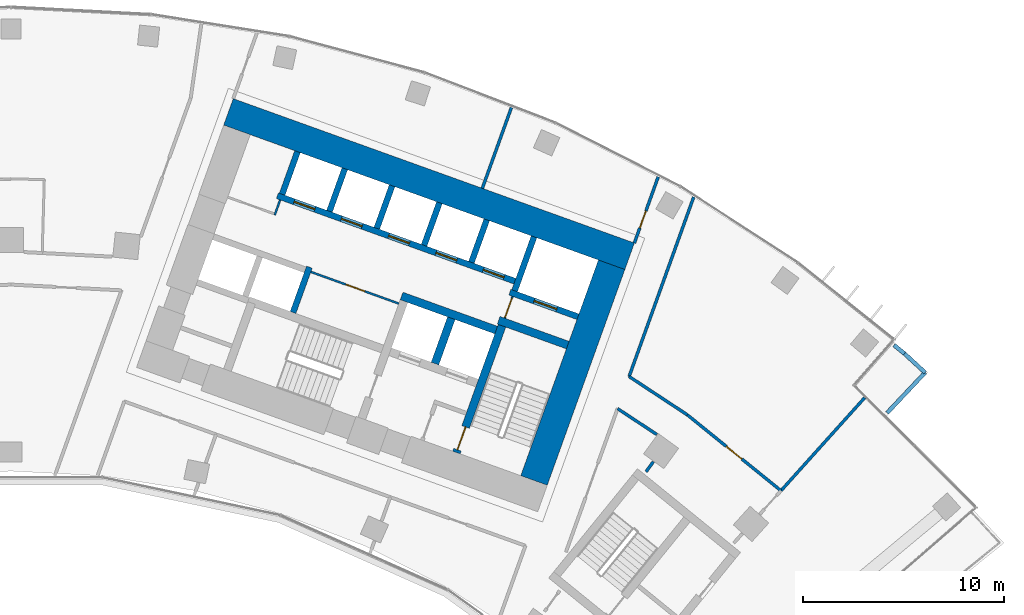
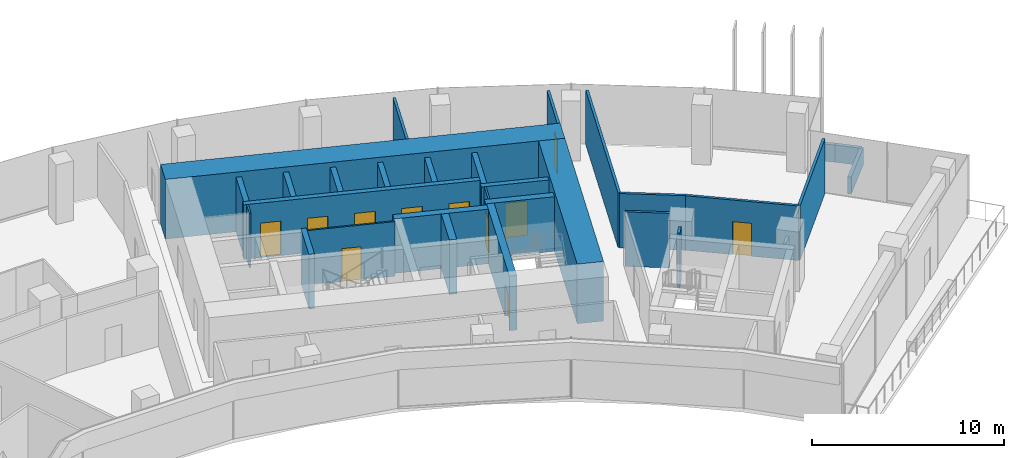
# One storey, part 17 of 20: 29 walls, 11 doors, 11 openings.
"""IFC4 building model written with IfcOpenShell, lengths in metres."""

from ifc_helpers import new_model, si_unit, direction, frame, frame_2d, origin, place, context, subcontext, project, spatial, rectangle, extrude, material, layer, layer_set, type_object, element, fill, save


model = new_model("IFC4")

# Units and contexts
model_context = context("Model", 3, precision=1e-05, world=origin(), true_north=direction((0.0, 1.0)))
body_context = subcontext(model_context, "Body", "Model", "MODEL_VIEW")
ifc_project = project(units=[si_unit("LENGTHUNIT", "METRE"), si_unit("AREAUNIT", "SQUARE_METRE"), si_unit("VOLUMEUNIT", "CUBIC_METRE"), si_unit("PLANEANGLEUNIT", "RADIAN"), si_unit("MASSUNIT", "GRAM", prefix="KILO")], contexts=[model_context])

# Site, building, storey
site_placement = place(None, origin())
site = spatial("IfcSite", under=ifc_project, at=site_placement, CompositionType="ELEMENT")
building_placement = place(site_placement, origin())
building = spatial("IfcBuilding", under=site, at=building_placement, Name="Stone Belt Terrace Tower", CompositionType="ELEMENT")
storey_placement = place(building_placement, frame((0.0, 0.0, 170.60009765625)))
storey = spatial("IfcBuildingStorey", under=building, at=storey_placement, Name="L41", CompositionType="ELEMENT", Elevation=170.60009765625)

# Wall, opening, door
ifc_material_1 = material(Name="Plasterboard partition")
ifc_layer_1 = layer(ifc_material_1, 0.10009765625)
ifc_layer_set_1 = layer_set([ifc_layer_1], Name="Core partition 100")
wall_type_1 = type_object("IfcWallType", Name="Core partition 100", PredefinedType="PARTITIONING", material=ifc_layer_set_1)
wall_1_placement = place(storey_placement, frame((24.555908203125, 51.10400390625, 0.0), z_axis=(0.0, 0.0, 1.0), x_axis=(0.338621735342, 0.94092258999, 0.0)))
wall_1 = element("IfcWall", 1, at=wall_1_placement, inside=storey, type_object=wall_type_1, Name="Core B wall", PredefinedType="PARTITIONING", context=body_context, shape_type="SweptSolid", body=[
    extrude(rectangle(XDim=1.14990234375, YDim=0.10009765625, at=frame_2d((0.574951171875, 0.0))), origin(), (0.0, 0.0, 1.0), 3.47998046875),
])
opening_1_placement = place(wall_1_placement, frame((0.050048828125, 0.0, 0.0)))
opening_1 = element("IfcOpeningElement", 2, at=opening_1_placement, cuts=wall_1, Name="Opening L41-C14", PredefinedType="OPENING", context=body_context, shape_type="SweptSolid", body=[
    extrude(rectangle(XDim=1.0, YDim=2.10009765625, at=frame_2d((0.5, 1.050048828125))), frame((0.0, 0.06005859375, 0.0), z_axis=(0.0, -1.0, 0.0), x_axis=(1.0, 0.0, 0.0)), (0.0, 0.0, 1.0), 0.1201171875),
])
ifc_material_2 = material(Name="Timber door leaf", Category="wood")
door_type_1 = type_object("IfcDoorType", Name="Core room door 1000", OperationType="SINGLE_SWING_LEFT", PredefinedType="DOOR", material=ifc_material_2)
door_1_placement = place(opening_1_placement, origin())
door_1 = element("IfcDoor", 3, at=door_1_placement, inside=storey, type_object=door_type_1, Name="Service lift lobby door core B", OperationType="SINGLE_SWING_LEFT", OverallHeight=2.10009765625, OverallWidth=1.0, PredefinedType="DOOR", context=body_context, shape_type="SweptSolid", body=[
    extrude(rectangle(XDim=1.0, YDim=2.10009765625, at=frame_2d((0.5, 1.050048828125))), frame((0.0, 0.02490234375, 0.0), z_axis=(0.0, -1.0, 0.0), x_axis=(1.0, 0.0, 0.0)), (0.0, 0.0, 1.0), 0.050048828125),
])
fill(opening_1, door_1)

wall_2_placement = place(storey_placement, frame((19.29052734375, 51.829833984375, 0.0), z_axis=(0.0, 0.0, 1.0), x_axis=(-0.940930240745, 0.338600475563, 0.0)))
wall_2 = element("IfcWall", 4, at=wall_2_placement, inside=storey, type_object=wall_type_1, Name="Core B wall", PredefinedType="PARTITIONING", context=body_context, shape_type="SweptSolid", body=[
    extrude(rectangle(XDim=4.64990234375, YDim=0.10009765625, at=frame_2d((2.324951171875, 0.0))), origin(), (0.0, 0.0, 1.0), 3.47998046875),
])
opening_2_placement = place(wall_2_placement, frame((1.800048828125, 0.0, 0.0)))
opening_2 = element("IfcOpeningElement", 5, at=opening_2_placement, cuts=wall_2, Name="Opening L41-C13", PredefinedType="OPENING", context=body_context, shape_type="SweptSolid", body=[
    extrude(rectangle(XDim=1.0, YDim=2.10009765625, at=frame_2d((0.5, 1.050048828125))), frame((0.0, 0.06005859375, 0.0), z_axis=(0.0, -1.0, 0.0), x_axis=(1.0, 0.0, 0.0)), (0.0, 0.0, 1.0), 0.1201171875),
])
door_2_placement = place(opening_2_placement, origin())
door_2 = element("IfcDoor", 6, at=door_2_placement, inside=storey, type_object=door_type_1, Name="Door to Meeting store core B", OperationType="SINGLE_SWING_LEFT", OverallHeight=2.10009765625, OverallWidth=1.0, PredefinedType="DOOR", context=body_context, shape_type="SweptSolid", body=[
    extrude(rectangle(XDim=1.0, YDim=2.10009765625, at=frame_2d((0.5, 1.050048828125))), frame((0.0, 0.02490234375, 0.0), z_axis=(0.0, -1.0, 0.0), x_axis=(1.0, 0.0, 0.0)), (0.0, 0.0, 1.0), 0.050048828125),
])
fill(opening_2, door_2)

# Walls
wall_3_placement = place(storey_placement, frame((13.115966796875, 56.230712890625, 0.0), z_axis=(0.0, 0.0, 1.0), x_axis=(0.338481684961, 0.940972979923, 0.0)))
element("IfcWall", 7, at=wall_3_placement, inside=storey, type_object=wall_type_1, Name="Core B wall", PredefinedType="PARTITIONING", context=body_context, shape_type="SweptSolid", body=[
    extrude(rectangle(XDim=0.7998046875, YDim=0.10009765625, at=frame_2d((0.39990234375, 0.0))), origin(), (0.0, 0.0, 1.0), 3.47998046875),
])
ifc_material_3 = material(Name="Concrete B80", Category="concrete")
ifc_layer_2 = layer(ifc_material_3, 1.39990234375)
ifc_layer_set_2 = layer_set([ifc_layer_2], Name="Core wall 1400 B80")
wall_type_2 = type_object("IfcWallType", Name="Core wall 1400 B80", PredefinedType="SHEAR", material=ifc_layer_set_2)
wall_4_placement = place(storey_placement, frame((10.81787109375, 61.362060546875, 0.0), z_axis=(0.0, 0.0, 1.0), x_axis=(0.940919704758, -0.338629752382, 0.0)))
element("IfcWall", 8, at=wall_4_placement, inside=storey, type_object=wall_type_2, Name="Core B wall convex L41", PredefinedType="SHEAR", context=body_context, shape_type="SweptSolid", body=[
    extrude(rectangle(XDim=21.199951171875, YDim=1.39990234375, at=frame_2d((10.60009765625, 0.0))), origin(), (0.0, 0.0, 1.0), 3.7998046875),
])
wall_5_placement = place(storey_placement, frame((26.00927734375, 43.03515625, 0.0), z_axis=(0.0, 0.0, 1.0), x_axis=(0.338625431531, 0.940921259788, 0.0)))
element("IfcWall", 9, at=wall_5_placement, inside=storey, type_object=wall_type_2, Name="Core B wall end_b L41", PredefinedType="SHEAR", context=body_context, shape_type="SweptSolid", body=[
    extrude(rectangle(XDim=11.400146484375, YDim=1.39990234375, at=frame_2d((5.7001953125, 0.0))), origin(), (0.0, 0.0, 1.0), 3.7998046875),
])
ifc_layer_3 = layer(ifc_material_3, 0.39990234375)
ifc_layer_set_3 = layer_set([ifc_layer_3], Name="Fire-fighting lift shaft wall 400")
wall_type_3 = type_object("IfcWallType", Name="Fire-fighting lift shaft wall 400", PredefinedType="SHEAR", material=ifc_layer_set_3)
wall_6_placement = place(storey_placement, frame((24.130615234375, 50.512939453125, 0.0), z_axis=(0.0, 0.0, 1.0), x_axis=(-0.94091168377, 0.338652038744, 0.0)))
element("IfcWall", 10, at=wall_6_placement, inside=storey, type_object=wall_type_3, Name="Core B wall", PredefinedType="SHEAR", context=body_context, shape_type="SweptSolid", body=[
    extrude(rectangle(XDim=5.000244140625, YDim=0.39990234375, at=frame_2d((2.5, 0.0))), origin(), (0.0, 0.0, 1.0), 3.47998046875),
])
wall_7_placement = place(storey_placement, frame((21.0859375, 48.845458984375, 0.0), z_axis=(0.0, 0.0, 1.0), x_axis=(0.338629416206, 0.940919825745, 0.0)))
element("IfcWall", 11, at=wall_7_placement, inside=storey, type_object=wall_type_3, Name="Core B wall", PredefinedType="SHEAR", context=body_context, shape_type="SweptSolid", body=[
    extrude(rectangle(XDim=2.400146484375, YDim=0.39990234375, at=frame_2d((1.2001953125, 0.0))), origin(), (0.0, 0.0, 1.0), 3.47998046875),
])

# Wall, opening, door
ifc_layer_4 = layer(ifc_material_3, 0.300048828125)
ifc_layer_set_4 = layer_set([ifc_layer_4], Name="Lift shaft wall 300")
wall_type_4 = type_object("IfcWallType", Name="Lift shaft wall 300", PredefinedType="SHEAR", material=ifc_layer_set_4)
wall_8_placement = place(storey_placement, frame((28.195068359375, 51.17578125, 0.0), z_axis=(0.0, 0.0, 1.0), x_axis=(-0.940901243567, 0.338681044427, 0.0)))
wall_8 = element("IfcWall", 12, at=wall_8_placement, inside=storey, type_object=wall_type_4, Name="Core B wall", PredefinedType="SHEAR", context=body_context, shape_type="SweptSolid", body=[
    extrude(rectangle(XDim=3.599853515625, YDim=0.300048828125, at=frame_2d((1.7998046875, 0.0))), origin(), (0.0, 0.0, 1.0), 3.47998046875),
])
opening_3_placement = place(wall_8_placement, frame((1.1201171875, 0.0, 0.0)))
opening_3 = element("IfcOpeningElement", 13, at=opening_3_placement, cuts=wall_8, Name="Opening L41-LD16", PredefinedType="OPENING", context=body_context, shape_type="SweptSolid", body=[
    extrude(rectangle(XDim=1.199951171875, YDim=2.199951171875, at=frame_2d((0.60009765625, 1.10009765625))), frame((0.0, 0.159912109375, 0.0), z_axis=(0.0, -1.0, 0.0), x_axis=(1.0, 0.0, 0.0)), (0.0, 0.0, 1.0), 0.320068359375),
])
ifc_material_4 = material(Name="Stainless steel door leaf", Category="steel")
door_type_2 = type_object("IfcDoorType", Name="Landing door 1200", OperationType="SLIDING_TO_LEFT", PredefinedType="DOOR", material=ifc_material_4)
door_3_placement = place(opening_3_placement, origin())
door_3 = element("IfcDoor", 14, at=door_3_placement, inside=storey, type_object=door_type_2, Name="Landing door SV1 core B", OperationType="SLIDING_TO_LEFT", OverallHeight=2.199951171875, OverallWidth=1.199951171875, PredefinedType="DOOR", context=body_context, shape_type="SweptSolid", body=[
    extrude(rectangle(XDim=1.199951171875, YDim=2.199951171875, at=frame_2d((0.60009765625, 1.10009765625))), frame((0.0, 0.02490234375, 0.0), z_axis=(0.0, -1.0, 0.0), x_axis=(1.0, 0.0, 0.0)), (0.0, 0.0, 1.0), 0.050048828125),
])
fill(opening_3, door_3)

# Wall
wall_9_placement = place(storey_placement, frame((25.046875, 52.46826171875, 0.0), z_axis=(0.0, 0.0, 1.0), x_axis=(0.338549588058, 0.940948551423, 0.0)))
element("IfcWall", 15, at=wall_9_placement, inside=storey, type_object=wall_type_4, Name="Core B wall", PredefinedType="SHEAR", context=body_context, shape_type="SweptSolid", body=[
    extrude(rectangle(XDim=2.849853515625, YDim=0.300048828125, at=frame_2d((1.4248046875, 0.0))), origin(), (0.0, 0.0, 1.0), 3.47998046875),
])

# Wall, openings, doors
wall_10_placement = place(storey_placement, frame((25.05810546875, 52.9423828125, 0.0), z_axis=(0.0, 0.0, 1.0), x_axis=(-0.940921381676, 0.338625092847, 0.0)))
wall_10 = element("IfcWall", 16, at=wall_10_placement, inside=storey, type_object=wall_type_4, Name="Core B wall", PredefinedType="SHEAR", context=body_context, shape_type="SweptSolid", body=[
    extrude(rectangle(XDim=12.550048828125, YDim=0.300048828125, at=frame_2d((6.27490234375, 0.0))), origin(), (0.0, 0.0, 1.0), 3.47998046875),
])
opening_4_placement = place(wall_10_placement, frame((0.570068359375, 0.0, 0.0)))
opening_4 = element("IfcOpeningElement", 17, at=opening_4_placement, cuts=wall_10, Name="Opening L41-LD09", PredefinedType="OPENING", context=body_context, shape_type="SweptSolid", body=[
    extrude(rectangle(XDim=1.10009765625, YDim=2.199951171875, at=frame_2d((0.550048828125, 1.10009765625))), frame((0.0, 0.159912109375, 0.0), z_axis=(0.0, -1.0, 0.0), x_axis=(1.0, 0.0, 0.0)), (0.0, 0.0, 1.0), 0.320068359375),
])
opening_5_placement = place(wall_10_placement, frame((3.070068359375, 0.0, 0.0)))
opening_5 = element("IfcOpeningElement", 18, at=opening_5_placement, cuts=wall_10, Name="Opening L41-LD10", PredefinedType="OPENING", context=body_context, shape_type="SweptSolid", body=[
    extrude(rectangle(XDim=1.10009765625, YDim=2.199951171875, at=frame_2d((0.550048828125, 1.10009765625))), frame((0.0, 0.159912109375, 0.0), z_axis=(0.0, -1.0, 0.0), x_axis=(1.0, 0.0, 0.0)), (0.0, 0.0, 1.0), 0.320068359375),
])
opening_6_placement = place(wall_10_placement, frame((5.570068359375, 0.0, 0.0)))
opening_6 = element("IfcOpeningElement", 19, at=opening_6_placement, cuts=wall_10, Name="Opening L41-LD11", PredefinedType="OPENING", context=body_context, shape_type="SweptSolid", body=[
    extrude(rectangle(XDim=1.10009765625, YDim=2.199951171875, at=frame_2d((0.550048828125, 1.10009765625))), frame((0.0, 0.159912109375, 0.0), z_axis=(0.0, -1.0, 0.0), x_axis=(1.0, 0.0, 0.0)), (0.0, 0.0, 1.0), 0.320068359375),
])
opening_7_placement = place(wall_10_placement, frame((8.070068359375, 0.0, 0.0)))
opening_7 = element("IfcOpeningElement", 20, at=opening_7_placement, cuts=wall_10, Name="Opening L41-LD12", PredefinedType="OPENING", context=body_context, shape_type="SweptSolid", body=[
    extrude(rectangle(XDim=1.10009765625, YDim=2.199951171875, at=frame_2d((0.550048828125, 1.10009765625))), frame((0.0, 0.159912109375, 0.0), z_axis=(0.0, -1.0, 0.0), x_axis=(1.0, 0.0, 0.0)), (0.0, 0.0, 1.0), 0.320068359375),
])
opening_8_placement = place(wall_10_placement, frame((10.570068359375, 0.0, 0.0)))
opening_8 = element("IfcOpeningElement", 21, at=opening_8_placement, cuts=wall_10, Name="Opening L41-LD13", PredefinedType="OPENING", context=body_context, shape_type="SweptSolid", body=[
    extrude(rectangle(XDim=1.10009765625, YDim=2.199951171875, at=frame_2d((0.550048828125, 1.10009765625))), frame((0.0, 0.159912109375, 0.0), z_axis=(0.0, -1.0, 0.0), x_axis=(1.0, 0.0, 0.0)), (0.0, 0.0, 1.0), 0.320068359375),
])
door_type_3 = type_object("IfcDoorType", Name="Landing door 1100", OperationType="SLIDING_TO_LEFT", PredefinedType="DOOR", material=ifc_material_4)
door_4_placement = place(opening_4_placement, origin())
door_4 = element("IfcDoor", 22, at=door_4_placement, inside=storey, type_object=door_type_3, Name="Landing door MR1 core B", OperationType="SLIDING_TO_LEFT", OverallHeight=2.199951171875, OverallWidth=1.10009765625, PredefinedType="DOOR", context=body_context, shape_type="SweptSolid", body=[
    extrude(rectangle(XDim=1.10009765625, YDim=2.199951171875, at=frame_2d((0.550048828125, 1.10009765625))), frame((0.0, 0.02490234375, 0.0), z_axis=(0.0, -1.0, 0.0), x_axis=(1.0, 0.0, 0.0)), (0.0, 0.0, 1.0), 0.050048828125),
])
fill(opening_4, door_4)
door_5_placement = place(opening_5_placement, origin())
door_5 = element("IfcDoor", 23, at=door_5_placement, inside=storey, type_object=door_type_3, Name="Landing door MR2 core B", OperationType="SLIDING_TO_LEFT", OverallHeight=2.199951171875, OverallWidth=1.10009765625, PredefinedType="DOOR", context=body_context, shape_type="SweptSolid", body=[
    extrude(rectangle(XDim=1.10009765625, YDim=2.199951171875, at=frame_2d((0.550048828125, 1.10009765625))), frame((0.0, 0.02490234375, 0.0), z_axis=(0.0, -1.0, 0.0), x_axis=(1.0, 0.0, 0.0)), (0.0, 0.0, 1.0), 0.050048828125),
])
fill(opening_5, door_5)
door_6_placement = place(opening_6_placement, origin())
door_6 = element("IfcDoor", 24, at=door_6_placement, inside=storey, type_object=door_type_3, Name="Landing door MR3 core B", OperationType="SLIDING_TO_LEFT", OverallHeight=2.199951171875, OverallWidth=1.10009765625, PredefinedType="DOOR", context=body_context, shape_type="SweptSolid", body=[
    extrude(rectangle(XDim=1.10009765625, YDim=2.199951171875, at=frame_2d((0.550048828125, 1.10009765625))), frame((0.0, 0.02490234375, 0.0), z_axis=(0.0, -1.0, 0.0), x_axis=(1.0, 0.0, 0.0)), (0.0, 0.0, 1.0), 0.050048828125),
])
fill(opening_6, door_6)
door_7_placement = place(opening_7_placement, origin())
door_7 = element("IfcDoor", 25, at=door_7_placement, inside=storey, type_object=door_type_3, Name="Landing door MR4 core B", OperationType="SLIDING_TO_LEFT", OverallHeight=2.199951171875, OverallWidth=1.10009765625, PredefinedType="DOOR", context=body_context, shape_type="SweptSolid", body=[
    extrude(rectangle(XDim=1.10009765625, YDim=2.199951171875, at=frame_2d((0.550048828125, 1.10009765625))), frame((0.0, 0.02490234375, 0.0), z_axis=(0.0, -1.0, 0.0), x_axis=(1.0, 0.0, 0.0)), (0.0, 0.0, 1.0), 0.050048828125),
])
fill(opening_7, door_7)
door_8_placement = place(opening_8_placement, origin())
door_8 = element("IfcDoor", 26, at=door_8_placement, inside=storey, type_object=door_type_3, Name="Landing door MR5 core B", OperationType="SLIDING_TO_LEFT", OverallHeight=2.199951171875, OverallWidth=1.10009765625, PredefinedType="DOOR", context=body_context, shape_type="SweptSolid", body=[
    extrude(rectangle(XDim=1.10009765625, YDim=2.199951171875, at=frame_2d((0.550048828125, 1.10009765625))), frame((0.0, 0.02490234375, 0.0), z_axis=(0.0, -1.0, 0.0), x_axis=(1.0, 0.0, 0.0)), (0.0, 0.0, 1.0), 0.050048828125),
])
fill(opening_8, door_8)

# Walls
wall_11_placement = place(storey_placement, frame((22.897705078125, 53.87939453125, 0.0), z_axis=(0.0, 0.0, 1.0), x_axis=(0.338535034312, 0.940953787677, 0.0)))
element("IfcWall", 27, at=wall_11_placement, inside=storey, type_object=wall_type_4, Name="Core B wall", PredefinedType="SHEAR", context=body_context, shape_type="SweptSolid", body=[
    extrude(rectangle(XDim=2.25, YDim=0.300048828125, at=frame_2d((1.125, 0.0))), origin(), (0.0, 0.0, 1.0), 3.47998046875),
])
wall_12_placement = place(storey_placement, frame((20.54541015625, 54.72607421875, 0.0), z_axis=(0.0, 0.0, 1.0), x_axis=(0.338569601369, 0.940941350472, 0.0)))
element("IfcWall", 28, at=wall_12_placement, inside=storey, type_object=wall_type_4, Name="Core B wall", PredefinedType="SHEAR", context=body_context, shape_type="SweptSolid", body=[
    extrude(rectangle(XDim=2.249755859375, YDim=0.300048828125, at=frame_2d((1.125, 0.0))), origin(), (0.0, 0.0, 1.0), 3.47998046875),
])
wall_13_placement = place(storey_placement, frame((18.193115234375, 55.572509765625, 0.0), z_axis=(0.0, 0.0, 1.0), x_axis=(0.338535034312, 0.940953787677, 0.0)))
element("IfcWall", 29, at=wall_13_placement, inside=storey, type_object=wall_type_4, Name="Core B wall", PredefinedType="SHEAR", context=body_context, shape_type="SweptSolid", body=[
    extrude(rectangle(XDim=2.25, YDim=0.300048828125, at=frame_2d((1.125, 0.0))), origin(), (0.0, 0.0, 1.0), 3.47998046875),
])
wall_14_placement = place(storey_placement, frame((14.029052734375, 51.38525390625, 0.0), z_axis=(0.0, 0.0, 1.0), x_axis=(0.338661829791, 0.940908159728, 0.0)))
element("IfcWall", 30, at=wall_14_placement, inside=storey, type_object=wall_type_4, Name="Core B wall", PredefinedType="SHEAR", context=body_context, shape_type="SweptSolid", body=[
    extrude(rectangle(XDim=2.39990234375, YDim=0.300048828125, at=frame_2d((1.199951171875, 0.0))), origin(), (0.0, 0.0, 1.0), 3.47998046875),
])
wall_15_placement = place(storey_placement, frame((15.8408203125, 56.419189453125, 0.0), z_axis=(0.0, 0.0, 1.0), x_axis=(0.338569601369, 0.940941350472, 0.0)))
element("IfcWall", 31, at=wall_15_placement, inside=storey, type_object=wall_type_4, Name="Core B wall", PredefinedType="SHEAR", context=body_context, shape_type="SweptSolid", body=[
    extrude(rectangle(XDim=2.249755859375, YDim=0.300048828125, at=frame_2d((1.125, 0.0))), origin(), (0.0, 0.0, 1.0), 3.47998046875),
])
wall_16_placement = place(storey_placement, frame((13.48828125, 57.265625, 0.0), z_axis=(0.0, 0.0, 1.0), x_axis=(0.338631098537, 0.940919220286, 0.0)))
element("IfcWall", 32, at=wall_16_placement, inside=storey, type_object=wall_type_4, Name="Core B wall", PredefinedType="SHEAR", context=body_context, shape_type="SweptSolid", body=[
    extrude(rectangle(XDim=2.250244140625, YDim=0.300048828125, at=frame_2d((1.125, 0.0))), origin(), (0.0, 0.0, 1.0), 3.47998046875),
])

# Wall, opening, door
ifc_material_5 = material(Name="Gypsum board partition")
ifc_layer_5 = layer(ifc_material_5, 0.14990234375)
ifc_layer_set_5 = layer_set([ifc_layer_5], Name="PARTITION 150 EI 60")
wall_type_5 = type_object("IfcWallType", Name="PARTITION 150 EI 60", PredefinedType="PARTITIONING", material=ifc_layer_set_5)
wall_17_placement = place(storey_placement, frame((31.001953125, 54.842041015625, 0.0), z_axis=(0.0, 0.0, 1.0), x_axis=(0.338662585219, 0.940907887826, 0.0)))
wall_17 = element("IfcWall", 33, at=wall_17_placement, inside=storey, type_object=wall_type_5, Name="L41/wall/i027", PredefinedType="PARTITIONING", context=body_context, shape_type="SweptSolid", body=[
    extrude(rectangle(XDim=3.49560546875, YDim=0.14990234375, at=frame_2d((1.747802734375, 0.0))), origin(), (0.0, 0.0, 1.0), 3.47998046875),
])
opening_9_placement = place(wall_17_placement, frame((0.798828125, 0.0, 0.0)))
opening_9 = element("IfcOpeningElement", 34, at=opening_9_placement, cuts=wall_17, Name="Opening D-C3-10", PredefinedType="OPENING", context=body_context, shape_type="SweptSolid", body=[
    extrude(rectangle(XDim=0.89990234375, YDim=2.10009765625, at=frame_2d((0.449951171875, 1.050048828125))), frame((0.0, 0.0849609375, 0.0), z_axis=(0.0, -1.0, 0.0), x_axis=(1.0, 0.0, 0.0)), (0.0, 0.0, 1.0), 0.169921875),
])
door_type_4 = type_object("IfcDoorType", Name="OFFICE DOOR 900 X 2100", OperationType="NOTDEFINED", PredefinedType="DOOR", material=ifc_material_2)
door_9_placement = place(opening_9_placement, origin())
door_9 = element("IfcDoor", 35, at=door_9_placement, inside=storey, type_object=door_type_4, Name="L41/door/i10", OperationType="SINGLE_SWING_LEFT", OverallHeight=2.10009765625, OverallWidth=0.89990234375, PredefinedType="DOOR", context=body_context, shape_type="SweptSolid", body=[
    extrude(rectangle(XDim=0.89990234375, YDim=2.10009765625, at=frame_2d((0.449951171875, 1.050048828125))), frame((0.0, 0.02490234375, 0.0), z_axis=(0.0, -1.0, 0.0), x_axis=(1.0, 0.0, 0.0)), (0.0, 0.0, 1.0), 0.050048828125),
])
fill(opening_9, door_9)

# Walls
wall_18_placement = place(storey_placement, frame((33.951904296875, 57.131103515625, 0.0), z_axis=(0.0, 0.0, 1.0), x_axis=(-0.338586530295, -0.940935258933, 0.0)))
element("IfcWall", 36, at=wall_18_placement, inside=storey, type_object=wall_type_5, Name="L41/wall/i031", PredefinedType="PARTITIONING", context=body_context, shape_type="SweptSolid", body=[
    extrude(rectangle(XDim=9.494873046875, YDim=0.14990234375, at=frame_2d((4.74755859375, 0.0))), origin(), (0.0, 0.0, 1.0), 3.47998046875),
])
wall_19_placement = place(storey_placement, frame((24.887939453125, 61.580078125, 0.0), z_axis=(0.0, 0.0, 1.0), x_axis=(-0.338697194196, -0.940895430238, 0.0)))
element("IfcWall", 37, at=wall_19_placement, inside=storey, type_object=wall_type_5, Name="L41/wall/i039", PredefinedType="PARTITIONING", context=body_context, shape_type="SweptSolid", body=[
    extrude(rectangle(XDim=4.26953125, YDim=0.14990234375, at=frame_2d((2.134765625, 0.0))), origin(), (0.0, 0.0, 1.0), 3.47998046875),
])
wall_20_placement = place(storey_placement, frame((38.287109375, 42.52099609375, 0.0), z_axis=(0.0, 0.0, 1.0), x_axis=(0.669068687451, 0.743200572842, 0.0)))
element("IfcWall", 38, at=wall_20_placement, inside=storey, type_object=wall_type_5, Name="L41/wall/i065", PredefinedType="PARTITIONING", context=body_context, shape_type="SweptSolid", body=[
    extrude(rectangle(XDim=6.227783203125, YDim=0.14990234375, at=frame_2d((3.11376953125, 0.0))), origin(), (0.0, 0.0, 1.0), 3.47998046875),
])
wall_21_placement = place(storey_placement, frame((31.580078125, 43.466064453125, 0.0), z_axis=(0.0, 0.0, 1.0), x_axis=(0.58798371838, 0.808872763121, 0.0)))
element("IfcWall", 39, at=wall_21_placement, inside=storey, type_object=wall_type_5, Name="L41/wall/i066", PredefinedType="PARTITIONING", context=body_context, shape_type="SweptSolid", body=[
    extrude(rectangle(XDim=0.617919921875, YDim=0.14990234375, at=frame_2d((0.30908203125, 0.0))), origin(), (0.0, 0.0, 1.0), 3.47998046875),
])
wall_22_placement = place(storey_placement, frame((32.1181640625, 45.321044921875, 0.0), z_axis=(0.0, 0.0, 1.0), x_axis=(-0.835424653074, 0.549604993641, 0.0)))
element("IfcWall", 40, at=wall_22_placement, inside=storey, type_object=wall_type_5, Name="L41/wall/i067", PredefinedType="PARTITIONING", context=body_context, shape_type="SweptSolid", body=[
    extrude(rectangle(XDim=2.337890625, YDim=0.14990234375, at=frame_2d((1.1689453125, 0.0))), origin(), (0.0, 0.0, 1.0), 3.47998046875),
])
wall_23_placement = place(storey_placement, frame((30.739013671875, 48.202880859375, 0.0), z_axis=(0.0, 0.0, 1.0), x_axis=(0.835274160171, -0.549833681535, 0.0)))
element("IfcWall", 41, at=wall_23_placement, inside=storey, type_object=wall_type_5, Name="L41/wall/i068", PredefinedType="PARTITIONING", context=body_context, shape_type="SweptSolid", body=[
    extrude(rectangle(XDim=3.46826171875, YDim=0.14990234375, at=frame_2d((1.734130859375, 0.0))), origin(), (0.0, 0.0, 1.0), 3.47998046875),
])

# Wall, opening, door
wall_24_placement = place(storey_placement, frame((33.635986328125, 46.2958984375, 0.0), z_axis=(0.0, 0.0, 1.0), x_axis=(0.77714422733, -0.629322532513, 0.0)))
wall_24 = element("IfcWall", 42, at=wall_24_placement, inside=storey, type_object=wall_type_5, Name="L41/wall/i069", PredefinedType="PARTITIONING", context=body_context, shape_type="SweptSolid", body=[
    extrude(rectangle(XDim=5.98876953125, YDim=0.14990234375, at=frame_2d((2.994384765625, 0.0))), origin(), (0.0, 0.0, 1.0), 3.47998046875),
])
opening_10_placement = place(wall_24_placement, frame((2.494384765625, 0.0, 0.0)))
opening_10 = element("IfcOpeningElement", 43, at=opening_10_placement, cuts=wall_24, Name="Opening D-C3-22", PredefinedType="OPENING", context=body_context, shape_type="SweptSolid", body=[
    extrude(rectangle(XDim=1.0, YDim=2.10009765625, at=frame_2d((0.5, 1.050048828125))), frame((0.0, 0.0849609375, 0.0), z_axis=(0.0, -1.0, 0.0), x_axis=(1.0, 0.0, 0.0)), (0.0, 0.0, 1.0), 0.169921875),
])
ifc_material_6 = material(Name="Timber fire door leaf", Category="wood")
door_type_5 = type_object("IfcDoorType", Name="TENANCY ENTRANCE DOOR 1000 X 2100", OperationType="NOTDEFINED", PredefinedType="DOOR", material=ifc_material_6)
door_10_placement = place(opening_10_placement, origin())
door_10 = element("IfcDoor", 44, at=door_10_placement, inside=storey, type_object=door_type_5, Name="L41/door/i22", OperationType="SINGLE_SWING_RIGHT", OverallHeight=2.10009765625, OverallWidth=1.0, PredefinedType="DOOR", context=body_context, shape_type="SweptSolid", body=[
    extrude(rectangle(XDim=1.0, YDim=2.10009765625, at=frame_2d((0.5, 1.050048828125))), frame((0.0, 0.02490234375, 0.0), z_axis=(0.0, -1.0, 0.0), x_axis=(1.0, 0.0, 0.0)), (0.0, 0.0, 1.0), 0.050048828125),
])
fill(opening_10, door_10)

# Walls
ifc_material_7 = material(Name="Precast concrete C40/50", Category="concrete")
ifc_layer_6 = layer(ifc_material_7, 0.199951171875)
ifc_layer_set_6 = layer_set([ifc_layer_6], Name="Roof parapet 200 x 1100")
wall_type_6 = type_object("IfcWallType", Name="Roof parapet 200 x 1100", PredefinedType="PARAPET", material=ifc_layer_set_6)
wall_25_placement = place(storey_placement, frame((44.431884765625, 49.343505859375, 0.0), z_axis=(0.0, 0.0, 1.0), x_axis=(-0.777270292566, 0.629166823898, 0.0)))
element("IfcWall", 45, at=wall_25_placement, inside=storey, type_object=wall_type_6, Name="PARAPET L41", PredefinedType="PARAPET", context=body_context, shape_type="SweptSolid", body=[
    extrude(rectangle(XDim=0.6708984375, YDim=0.199951171875, at=frame_2d((0.33544921875, 0.0))), origin(), (0.0, 0.0, 1.0), 1.099853515625),
])
wall_26_placement = place(storey_placement, frame((43.564697265625, 46.39013671875, 0.0), z_axis=(0.0, 0.0, 1.0), x_axis=(0.685739872054, 0.727846706303, 0.0)))
element("IfcWall", 46, at=wall_26_placement, inside=storey, type_object=wall_type_6, Name="PARAPET L41", PredefinedType="PARAPET", context=body_context, shape_type="SweptSolid", body=[
    extrude(rectangle(XDim=2.760009765625, YDim=0.199951171875, at=frame_2d((1.3798828125, 0.0))), origin(), (0.0, 0.0, 1.0), 1.099853515625),
])
wall_27_placement = place(storey_placement, frame((45.457275390625, 48.39892578125, 0.0), z_axis=(0.0, 0.0, 1.0), x_axis=(-0.735494582067, 0.67753060429, 0.0)))
element("IfcWall", 47, at=wall_27_placement, inside=storey, type_object=wall_type_6, Name="PARAPET L41", PredefinedType="PARAPET", context=body_context, shape_type="SweptSolid", body=[
    extrude(rectangle(XDim=1.39404296875, YDim=0.199951171875, at=frame_2d((0.697021484375, 0.0))), origin(), (0.0, 0.0, 1.0), 1.099853515625),
])
ifc_layer_7 = layer(ifc_material_3, 0.39990234375)
ifc_layer_set_7 = layer_set([ifc_layer_7], Name="Stair enclosure wall 400")
wall_type_7 = type_object("IfcWallType", Name="Stair enclosure wall 400", PredefinedType="SHEAR", material=ifc_layer_set_7)
wall_28_placement = place(storey_placement, frame((27.687255859375, 49.764404296875, 0.0), z_axis=(0.0, 0.0, 1.0), x_axis=(-0.940918954884, 0.338631835981, 0.0)))
element("IfcWall", 48, at=wall_28_placement, inside=storey, type_object=wall_type_7, Name="Core B wall", PredefinedType="SHEAR", context=body_context, shape_type="SweptSolid", body=[
    extrude(rectangle(XDim=3.650146484375, YDim=0.39990234375, at=frame_2d((1.8251953125, 0.0))), origin(), (0.0, 0.0, 1.0), 3.47998046875),
])

# Wall, opening, door
wall_29_placement = place(storey_placement, frame((22.151611328125, 44.42333984375, 0.0), z_axis=(0.0, 0.0, 1.0), x_axis=(0.338625272931, 0.940921316866, 0.0)))
wall_29 = element("IfcWall", 49, at=wall_29_placement, inside=storey, type_object=wall_type_7, Name="Core B wall", PredefinedType="SHEAR", context=body_context, shape_type="SweptSolid", body=[
    extrude(rectangle(XDim=6.699951171875, YDim=0.39990234375, at=frame_2d((3.35009765625, 0.0))), origin(), (0.0, 0.0, 1.0), 3.47998046875),
])
opening_11_placement = place(wall_29_placement, frame((0.14990234375, 0.0, 0.0)))
opening_11 = element("IfcOpeningElement", 50, at=opening_11_placement, cuts=wall_29, Name="Opening L41-C16", PredefinedType="OPENING", context=body_context, shape_type="SweptSolid", body=[
    extrude(rectangle(XDim=1.199951171875, YDim=2.10009765625, at=frame_2d((0.60009765625, 1.050048828125))), frame((0.0, 0.2099609375, 0.0), z_axis=(0.0, -1.0, 0.0), x_axis=(1.0, 0.0, 0.0)), (0.0, 0.0, 1.0), 0.419921875),
])
ifc_material_8 = material(Name="Steel door leaf", Category="steel")
door_type_6 = type_object("IfcDoorType", Name="Stair door 1200", OperationType="SINGLE_SWING_LEFT", PredefinedType="DOOR", material=ifc_material_8)
door_11_placement = place(opening_11_placement, origin())
door_11 = element("IfcDoor", 51, at=door_11_placement, inside=storey, type_object=door_type_6, Name="Stair 1 door core B", OperationType="SINGLE_SWING_LEFT", OverallHeight=2.10009765625, OverallWidth=1.199951171875, PredefinedType="DOOR", context=body_context, shape_type="SweptSolid", body=[
    extrude(rectangle(XDim=1.199951171875, YDim=2.10009765625, at=frame_2d((0.60009765625, 1.050048828125))), frame((0.0, 0.02490234375, 0.0), z_axis=(0.0, -1.0, 0.0), x_axis=(1.0, 0.0, 0.0)), (0.0, 0.0, 1.0), 0.050048828125),
])
fill(opening_11, door_11)

save(model, "model.ifc")
